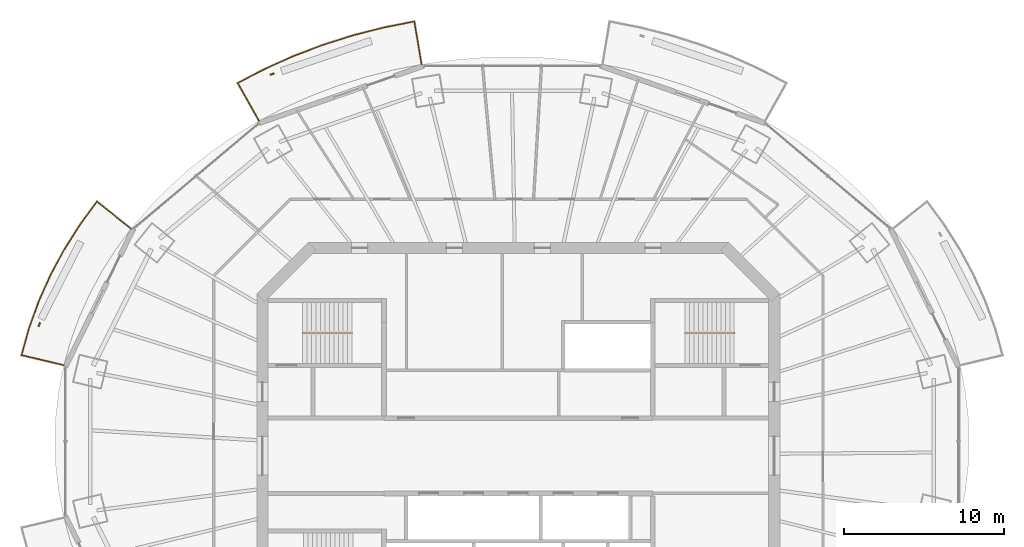
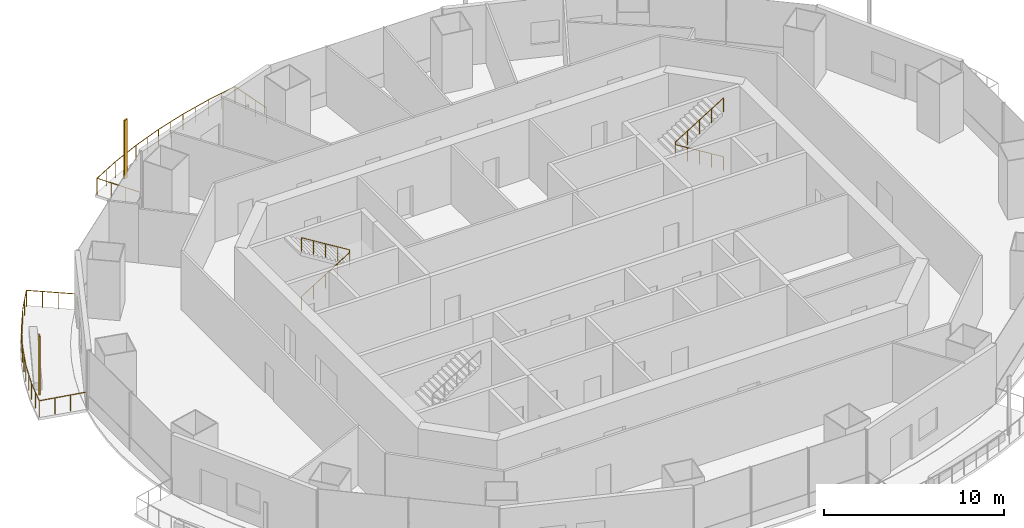
# One storey, part 14 of 16: 4 railings, 2 shading devices.
"""IFC4 building model written with IfcOpenShell, lengths in metres."""

from ifc_helpers import new_model, si_unit, direction, frame, origin, origin_2d, place, context, subcontext, project, spatial, rectangle, circle, extrude, material, material_profile, profile_set, type_object, element, save


model = new_model("IFC4")

# Units and contexts
model_context = context("Model", 3, precision=1e-05, world=origin(), true_north=direction((0.0, 1.0)))
body_context = subcontext(model_context, "Body", "Model", "MODEL_VIEW")
ifc_project = project(units=[si_unit("LENGTHUNIT", "METRE"), si_unit("AREAUNIT", "SQUARE_METRE"), si_unit("VOLUMEUNIT", "CUBIC_METRE"), si_unit("PLANEANGLEUNIT", "RADIAN"), si_unit("MASSUNIT", "GRAM", prefix="KILO")], contexts=[model_context])

# Site, building, storey
site_placement = place(None, origin())
site = spatial("IfcSite", under=ifc_project, at=site_placement, CompositionType="ELEMENT")
building_placement = place(site_placement, origin())
building = spatial("IfcBuilding", under=site, at=building_placement, Name="Marenthal Gate Tower", CompositionType="ELEMENT")
storey_placement = place(building_placement, frame((0.0, 0.0, 301.10009765625)))
storey = spatial("IfcBuildingStorey", under=building, at=storey_placement, Name="L67", CompositionType="ELEMENT", Elevation=301.10009765625)

# Railings
ifc_material_1 = material(Name="Stainless steel", Category="steel")
railing_type_1 = type_object("IfcRailingType", Name="Balcony guard 1100", PredefinedType="GUARDRAIL", material=ifc_material_1)
railing_1_placement = place(storey_placement, frame((-16.21728515625, 20.942626953125, 0.0)))
element("IfcRailing", 1, at=railing_1_placement, inside=storey, type_object=railing_type_1, Name="Balcony guard L67 bay 5", PredefinedType="GUARDRAIL", context=body_context, shape_type="SweptSolid", body=[
    extrude(circle(Radius=0.02392578125, at=origin_2d()), frame((0.0, 0.0, 1.076171875), z_axis=(-0.490352997795, 0.87139963554, -0.014717769334), x_axis=(-0.871494029004, -0.490406114776, 0.0)), (0.0, 0.0, 1.0), 2.720458984375),
    extrude(circle(Radius=0.02392578125, at=origin_2d()), frame((-1.333984375, 2.37060546875, 1.0361328125), z_axis=(0.886700798457, 0.462343696848, 0.0), x_axis=(-0.462343696848, 0.886700798457, 0.0)), (0.0, 0.0, 1.0), 1.876708984375),
    extrude(circle(Radius=0.02392578125, at=origin_2d()), frame((0.330078125, 3.23828125, 1.0361328125), z_axis=(0.911972518318, 0.410251295955, 0.0), x_axis=(-0.410251295955, 0.911972518318, 0.0)), (0.0, 0.0, 1.0), 1.9697265625),
    extrude(circle(Radius=0.02392578125, at=origin_2d()), frame((2.12646484375, 4.04638671875, 1.0361328125), z_axis=(0.934386218754, 0.356261693426, 0.0), x_axis=(-0.356261693426, 0.934386218754, 0.0)), (0.0, 0.0, 1.0), 1.98193359375),
    extrude(circle(Radius=0.02392578125, at=origin_2d()), frame((3.978271484375, 4.75244140625, 1.0361328125), z_axis=(0.95337689514, 0.301782199297, 0.0), x_axis=(-0.301782199297, 0.95337689514, 0.0)), (0.0, 0.0, 1.0), 1.99267578125),
    extrude(circle(Radius=0.02392578125, at=origin_2d()), frame((5.8779296875, 5.353759765625, 1.0361328125), z_axis=(0.968925174526, 0.247354009811, 0.0), x_axis=(-0.247354009811, 0.968925174526, 0.0)), (0.0, 0.0, 1.0), 2.001708984375),
    extrude(circle(Radius=0.02392578125, at=origin_2d()), frame((7.8173828125, 5.848876953125, 1.0361328125), z_axis=(0.98107877251, 0.193608992898, 0.0), x_axis=(-0.193608992898, 0.98107877251, 0.0)), (0.0, 0.0, 1.0), 1.929443359375),
    extrude(circle(Radius=0.02392578125, at=origin_2d()), frame((9.710205078125, 6.222412109375, 1.0361328125), z_axis=(0.165225230724, -0.986146026723, 0.014718597414), x_axis=(0.986252861995, 0.165243130591, 0.0)), (0.0, 0.0, 1.0), 2.72021484375),
    extrude(circle(Radius=0.02099609375, at=origin_2d()), origin(), (0.0, 0.0, 1.0), 1.052001953125),
    extrude(circle(Radius=0.02099609375, at=origin_2d()), frame((-0.444580078125, 0.790283203125, -0.013427734375)), (0.0, 0.0, 1.0), 1.052001953125),
    extrude(circle(Radius=0.02099609375, at=origin_2d()), frame((-0.889404296875, 1.580322265625, -0.026611328125)), (0.0, 0.0, 1.0), 1.052001953125),
    extrude(circle(Radius=0.02099609375, at=origin_2d()), frame((-1.333984375, 2.37060546875, -0.0400390625)), (0.0, 0.0, 1.0), 1.052001953125),
    extrude(circle(Radius=0.02099609375, at=origin_2d()), frame((-0.501953125, 2.804443359375, -0.0400390625)), (0.0, 0.0, 1.0), 1.052001953125),
    extrude(circle(Radius=0.02099609375, at=origin_2d()), frame((0.330078125, 3.23828125, -0.0400390625)), (0.0, 0.0, 1.0), 1.052001953125),
    extrude(circle(Radius=0.02099609375, at=origin_2d()), frame((1.228271484375, 3.642333984375, -0.0400390625)), (0.0, 0.0, 1.0), 1.052001953125),
    extrude(circle(Radius=0.02099609375, at=origin_2d()), frame((2.12646484375, 4.04638671875, -0.0400390625)), (0.0, 0.0, 1.0), 1.052001953125),
    extrude(circle(Radius=0.02099609375, at=origin_2d()), frame((3.05224609375, 4.3994140625, -0.0400390625)), (0.0, 0.0, 1.0), 1.052001953125),
    extrude(circle(Radius=0.02099609375, at=origin_2d()), frame((3.978271484375, 4.75244140625, -0.0400390625)), (0.0, 0.0, 1.0), 1.052001953125),
    extrude(circle(Radius=0.02099609375, at=origin_2d()), frame((4.92822265625, 5.05322265625, -0.0400390625)), (0.0, 0.0, 1.0), 1.052001953125),
    extrude(circle(Radius=0.02099609375, at=origin_2d()), frame((5.8779296875, 5.353759765625, -0.0400390625)), (0.0, 0.0, 1.0), 1.052001953125),
    extrude(circle(Radius=0.02099609375, at=origin_2d()), frame((6.84765625, 5.601318359375, -0.0400390625)), (0.0, 0.0, 1.0), 1.052001953125),
    extrude(circle(Radius=0.02099609375, at=origin_2d()), frame((7.8173828125, 5.848876953125, -0.0400390625)), (0.0, 0.0, 1.0), 1.052001953125),
    extrude(circle(Radius=0.02099609375, at=origin_2d()), frame((8.763671875, 6.03564453125, -0.0400390625)), (0.0, 0.0, 1.0), 1.052001953125),
    extrude(circle(Radius=0.02099609375, at=origin_2d()), frame((9.710205078125, 6.222412109375, -0.0400390625)), (0.0, 0.0, 1.0), 1.052001953125),
    extrude(circle(Radius=0.02099609375, at=origin_2d()), frame((9.860107421875, 5.328125, -0.026611328125)), (0.0, 0.0, 1.0), 1.052001953125),
    extrude(circle(Radius=0.02099609375, at=origin_2d()), frame((10.009765625, 4.43408203125, -0.013427734375)), (0.0, 0.0, 1.0), 1.052001953125),
    extrude(circle(Radius=0.02099609375, at=origin_2d()), frame((10.15966796875, 3.539794921875, 0.0)), (0.0, 0.0, 1.0), 1.052001953125),
])
railing_2_placement = place(storey_placement, frame((-28.427978515625, 5.67138671875, 0.0)))
element("IfcRailing", 2, at=railing_2_placement, inside=storey, type_object=railing_type_1, Name="Balcony guard L67 bay 7", PredefinedType="GUARDRAIL", context=body_context, shape_type="SweptSolid", body=[
    extrude(circle(Radius=0.02392578125, at=origin_2d()), frame((0.0, 0.0, 1.076171875), z_axis=(-0.973117172157, 0.229839811666, -0.014718363574), x_axis=(-0.229864710837, -0.973222592582, 0.0)), (0.0, 0.0, 1.0), 2.720458984375),
    extrude(circle(Radius=0.02392578125, at=origin_2d()), frame((-2.647216796875, 0.625244140625, 1.0361328125), z_axis=(0.268728447288, 0.963215978698, 0.0), x_axis=(-0.963215978698, 0.268728447288, 0.0)), (0.0, 0.0, 1.0), 1.718017578125),
    extrude(circle(Radius=0.02392578125, at=origin_2d()), frame((-2.185546875, 2.280029296875, 1.0361328125), z_axis=(0.33909288178, 0.940752899292, 0.0), x_axis=(-0.940752899292, 0.33909288178, 0.0)), (0.0, 0.0, 1.0), 1.8056640625),
    extrude(circle(Radius=0.02392578125, at=origin_2d()), frame((-1.5732421875, 3.978759765625, 1.0361328125), z_axis=(0.408333619035, 0.912832764292, 0.0), x_axis=(-0.912832764292, 0.408333619035, 0.0)), (0.0, 0.0, 1.0), 1.815185546875),
    extrude(circle(Radius=0.02392578125, at=origin_2d()), frame((-0.83203125, 5.6357421875, 1.0361328125), z_axis=(0.474067933151, 0.880488270653, 0.0), x_axis=(-0.880488270653, 0.474067933151, 0.0)), (0.0, 0.0, 1.0), 1.826171875),
    extrude(circle(Radius=0.02392578125, at=origin_2d()), frame((0.03369140625, 7.24365234375, 1.0361328125), z_axis=(0.536179368299, 0.844104072381, 0.0), x_axis=(-0.844104072381, 0.536179368299, 0.0)), (0.0, 0.0, 1.0), 1.838623046875),
    extrude(circle(Radius=0.02392578125, at=origin_2d()), frame((1.01953125, 8.795654296875, 1.0361328125), z_axis=(0.593189639739, 0.80506276234, 0.0), x_axis=(-0.80506276234, 0.593189639739, 0.0)), (0.0, 0.0, 1.0), 1.772216796875),
    extrude(circle(Radius=0.02392578125, at=origin_2d()), frame((2.07080078125, 10.222412109375, 1.0361328125), z_axis=(0.783299764569, -0.621469871648, 0.014719968075), x_axis=(0.621537211848, 0.783384640064, 0.0)), (0.0, 0.0, 1.0), 2.719970703125),
    extrude(circle(Radius=0.02099609375, at=origin_2d()), origin(), (0.0, 0.0, 1.0), 1.052001953125),
    extrude(circle(Radius=0.02099609375, at=origin_2d()), frame((-0.88232421875, 0.20849609375, -0.013427734375)), (0.0, 0.0, 1.0), 1.052001953125),
    extrude(circle(Radius=0.02099609375, at=origin_2d()), frame((-1.764892578125, 0.416748046875, -0.026611328125)), (0.0, 0.0, 1.0), 1.052001953125),
    extrude(circle(Radius=0.02099609375, at=origin_2d()), frame((-2.647216796875, 0.625244140625, -0.0400390625)), (0.0, 0.0, 1.0), 1.052001953125),
    extrude(circle(Radius=0.02099609375, at=origin_2d()), frame((-2.41650390625, 1.45263671875, -0.0400390625)), (0.0, 0.0, 1.0), 1.052001953125),
    extrude(circle(Radius=0.02099609375, at=origin_2d()), frame((-2.185546875, 2.280029296875, -0.0400390625)), (0.0, 0.0, 1.0), 1.052001953125),
    extrude(circle(Radius=0.02099609375, at=origin_2d()), frame((-1.87939453125, 3.12939453125, -0.0400390625)), (0.0, 0.0, 1.0), 1.052001953125),
    extrude(circle(Radius=0.02099609375, at=origin_2d()), frame((-1.5732421875, 3.978759765625, -0.0400390625)), (0.0, 0.0, 1.0), 1.052001953125),
    extrude(circle(Radius=0.02099609375, at=origin_2d()), frame((-1.20263671875, 4.80712890625, -0.0400390625)), (0.0, 0.0, 1.0), 1.052001953125),
    extrude(circle(Radius=0.02099609375, at=origin_2d()), frame((-0.83203125, 5.6357421875, -0.0400390625)), (0.0, 0.0, 1.0), 1.052001953125),
    extrude(circle(Radius=0.02099609375, at=origin_2d()), frame((-0.399169921875, 6.439697265625, -0.0400390625)), (0.0, 0.0, 1.0), 1.052001953125),
    extrude(circle(Radius=0.02099609375, at=origin_2d()), frame((0.03369140625, 7.24365234375, -0.0400390625)), (0.0, 0.0, 1.0), 1.052001953125),
    extrude(circle(Radius=0.02099609375, at=origin_2d()), frame((0.526611328125, 8.01953125, -0.0400390625)), (0.0, 0.0, 1.0), 1.052001953125),
    extrude(circle(Radius=0.02099609375, at=origin_2d()), frame((1.01953125, 8.795654296875, -0.0400390625)), (0.0, 0.0, 1.0), 1.052001953125),
    extrude(circle(Radius=0.02099609375, at=origin_2d()), frame((1.545166015625, 9.509033203125, -0.0400390625)), (0.0, 0.0, 1.0), 1.052001953125),
    extrude(circle(Radius=0.02099609375, at=origin_2d()), frame((2.07080078125, 10.222412109375, -0.0400390625)), (0.0, 0.0, 1.0), 1.052001953125),
    extrude(circle(Radius=0.02099609375, at=origin_2d()), frame((2.781005859375, 9.658935546875, -0.026611328125)), (0.0, 0.0, 1.0), 1.052001953125),
    extrude(circle(Radius=0.02099609375, at=origin_2d()), frame((3.4912109375, 9.095458984375, -0.013427734375)), (0.0, 0.0, 1.0), 1.052001953125),
    extrude(circle(Radius=0.02099609375, at=origin_2d()), frame((4.201416015625, 8.531982421875, 0.0)), (0.0, 0.0, 1.0), 1.052001953125),
])
ifc_material_2 = material(Name="Stainless steel", Category="steel")
railing_type_2 = type_object("IfcRailingType", Name="Stair handrail", PredefinedType="HANDRAIL", material=ifc_material_2)
railing_3_placement = place(storey_placement, frame((-13.5, 7.675048828125, 0.1728515625)))
element("IfcRailing", 3, at=railing_3_placement, inside=storey, type_object=railing_type_2, Name="Handrail ST1", PredefinedType="HANDRAIL", context=body_context, shape_type="SweptSolid", body=[
    extrude(circle(Radius=0.0224609375, at=origin_2d()), frame((0.0, 0.0, 0.927490234375), z_axis=(0.850835241893, 0.0, 0.525432575268), x_axis=(0.0, 1.0, 0.0)), (0.0, 0.0, 1.0), 3.6201171875),
    extrude(circle(Radius=0.0224609375, at=origin_2d()), frame((3.080078125, 0.0, 2.82958984375), z_axis=(0.0, 0.0, 1.0), x_axis=(1.0, 0.0, 0.0)), (0.0, 0.0, 1.0), 0.1728515625),
    extrude(circle(Radius=0.0224609375, at=origin_2d()), frame((3.080078125, 0.0, 3.00244140625), z_axis=(-0.850835241893, 0.0, 0.525432575268), x_axis=(0.0, -1.0, 0.0)), (0.0, 0.0, 1.0), 3.6201171875),
    extrude(circle(Radius=0.02001953125, at=origin_2d()), origin(), (0.0, 0.0, 1.0), 0.905029296875),
    extrude(circle(Radius=0.02001953125, at=origin_2d()), frame((0.77001953125, 0.0, 0.4755859375)), (0.0, 0.0, 1.0), 0.905029296875),
    extrude(circle(Radius=0.02001953125, at=origin_2d()), frame((1.5400390625, 0.0, 0.951171875)), (0.0, 0.0, 1.0), 0.905029296875),
    extrude(circle(Radius=0.02001953125, at=origin_2d()), frame((2.31005859375, 0.0, 1.426513671875)), (0.0, 0.0, 1.0), 0.905029296875),
    extrude(circle(Radius=0.02001953125, at=origin_2d()), frame((3.080078125, 0.0, 1.902099609375)), (0.0, 0.0, 1.0), 0.905029296875),
    extrude(circle(Radius=0.02001953125, at=origin_2d()), frame((3.080078125, 0.0, 2.074951171875)), (0.0, 0.0, 1.0), 0.905029296875),
    extrude(circle(Radius=0.02001953125, at=origin_2d()), frame((2.31005859375, 0.0, 2.550537109375)), (0.0, 0.0, 1.0), 0.905029296875),
    extrude(circle(Radius=0.02001953125, at=origin_2d()), frame((1.5400390625, 0.0, 3.02587890625)), (0.0, 0.0, 1.0), 0.905029296875),
    extrude(circle(Radius=0.02001953125, at=origin_2d()), frame((0.77001953125, 0.0, 3.50146484375)), (0.0, 0.0, 1.0), 0.905029296875),
    extrude(circle(Radius=0.02001953125, at=origin_2d()), frame((0.0, 0.0, 3.97705078125)), (0.0, 0.0, 1.0), 0.905029296875),
])
railing_4_placement = place(storey_placement, frame((13.5, 7.675048828125, 0.1728515625)))
element("IfcRailing", 4, at=railing_4_placement, inside=storey, type_object=railing_type_2, Name="Handrail ST3", PredefinedType="HANDRAIL", context=body_context, shape_type="SweptSolid", body=[
    extrude(circle(Radius=0.0224609375, at=origin_2d()), frame((0.0, 0.0, 0.927490234375), z_axis=(-0.850835241893, 0.0, 0.525432575268), x_axis=(0.0, -1.0, 0.0)), (0.0, 0.0, 1.0), 3.6201171875),
    extrude(circle(Radius=0.0224609375, at=origin_2d()), frame((-3.080078125, 0.0, 2.82958984375), z_axis=(0.0, 0.0, 1.0), x_axis=(1.0, 0.0, 0.0)), (0.0, 0.0, 1.0), 0.1728515625),
    extrude(circle(Radius=0.0224609375, at=origin_2d()), frame((-3.080078125, 0.0, 3.00244140625), z_axis=(0.850835241893, 0.0, 0.525432575268), x_axis=(0.0, 1.0, 0.0)), (0.0, 0.0, 1.0), 3.6201171875),
    extrude(circle(Radius=0.02001953125, at=origin_2d()), origin(), (0.0, 0.0, 1.0), 0.905029296875),
    extrude(circle(Radius=0.02001953125, at=origin_2d()), frame((-0.77001953125, 0.0, 0.4755859375)), (0.0, 0.0, 1.0), 0.905029296875),
    extrude(circle(Radius=0.02001953125, at=origin_2d()), frame((-1.5400390625, 0.0, 0.951171875)), (0.0, 0.0, 1.0), 0.905029296875),
    extrude(circle(Radius=0.02001953125, at=origin_2d()), frame((-2.31005859375, 0.0, 1.426513671875)), (0.0, 0.0, 1.0), 0.905029296875),
    extrude(circle(Radius=0.02001953125, at=origin_2d()), frame((-3.080078125, 0.0, 1.902099609375)), (0.0, 0.0, 1.0), 0.905029296875),
    extrude(circle(Radius=0.02001953125, at=origin_2d()), frame((-3.080078125, 0.0, 2.074951171875)), (0.0, 0.0, 1.0), 0.905029296875),
    extrude(circle(Radius=0.02001953125, at=origin_2d()), frame((-2.31005859375, 0.0, 2.550537109375)), (0.0, 0.0, 1.0), 0.905029296875),
    extrude(circle(Radius=0.02001953125, at=origin_2d()), frame((-1.5400390625, 0.0, 3.02587890625)), (0.0, 0.0, 1.0), 0.905029296875),
    extrude(circle(Radius=0.02001953125, at=origin_2d()), frame((-0.77001953125, 0.0, 3.50146484375)), (0.0, 0.0, 1.0), 0.905029296875),
    extrude(circle(Radius=0.02001953125, at=origin_2d()), frame((0.0, 0.0, 3.97705078125)), (0.0, 0.0, 1.0), 0.905029296875),
])

# Shading devices
ifc_material_3 = material(Name="Terracotta", Category="masonry")
ifc_material_profile = material_profile(ifc_material_3, rectangle(XDim=0.25, YDim=0.080078125, at=origin_2d()), Name="Terracotta baguette 250x80")
ifc_profile_set = profile_set([ifc_material_profile], Name="Terracotta")
shading_device_type = type_object("IfcShadingDeviceType", Name="Terracotta BAGUETTE SCREEN 250x80", PredefinedType="USERDEFINED", material=ifc_profile_set)
for number, where, z_axis, x_axis, name in (
    (5, (-15.405029296875, 23.865966796875, -0.0400390625), (0.0, 0.0, 1.0), (-0.944279584145, -0.329144446962, 0.0), "Terracotta BAGUETTE L67 bay 5R"),
    (6, (-29.961181640625, 8.2109375, -0.0400390625), (0.0, 0.0, 1.0), (-0.441623511691, -0.897200464735, 0.0), "Terracotta BAGUETTE L67 bay 7R"),
):
    element("IfcShadingDevice", number, at=place(storey_placement, frame(where, z_axis=z_axis, x_axis=x_axis)), inside=storey, type_object=shading_device_type, Name=name, ObjectType="BAGUETTE SCREEN", PredefinedType="USERDEFINED", context=body_context, shape_type="SweptSolid", body=[
        extrude(rectangle(XDim=0.25, YDim=0.080078125, at=origin_2d()), origin(), (0.0, 0.0, 1.0), 3.969970703125),
    ])

save(model, "model.ifc")
